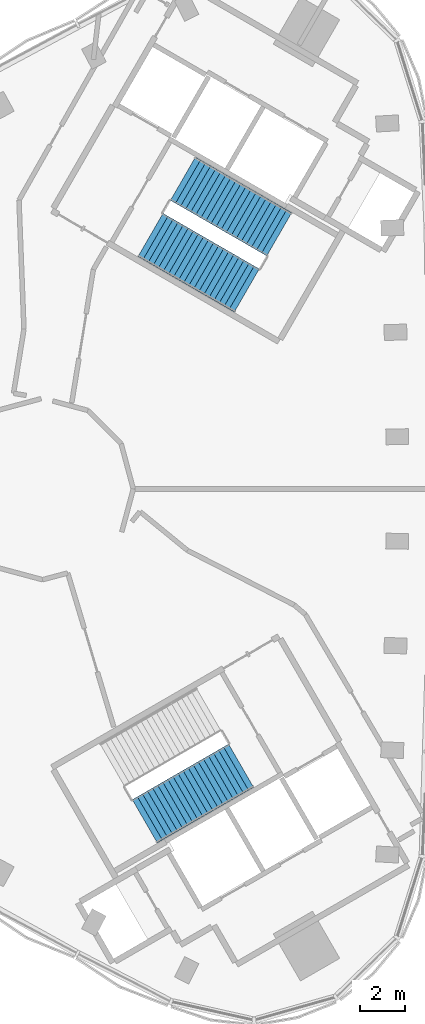
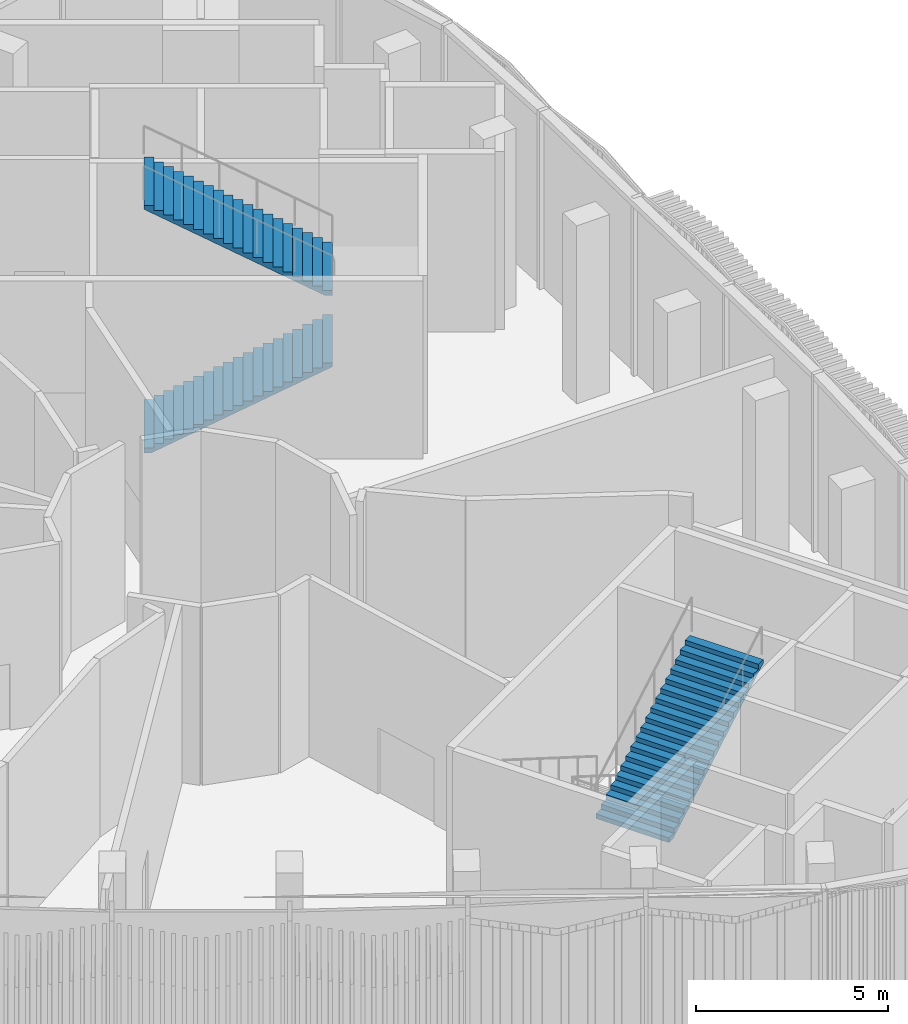
# One storey, part 6 of 11: 3 stair flights, 2 elements without a shape of their own.
"""IFC4 building model written with IfcOpenShell, lengths in metres."""

from ifc_helpers import new_model, si_unit, direction, frame, origin, place, context, subcontext, project, spatial, polyline, outline, extrude, material, type_object, element, aggregate, save


model = new_model("IFC4")

# Units and contexts
model_context = context("Model", 3, precision=1e-05, world=origin(), true_north=direction((0.0, 1.0)))
body_context = subcontext(model_context, "Body", "Model", "MODEL_VIEW")
ifc_project = project(units=[si_unit("LENGTHUNIT", "METRE"), si_unit("AREAUNIT", "SQUARE_METRE"), si_unit("VOLUMEUNIT", "CUBIC_METRE"), si_unit("PLANEANGLEUNIT", "RADIAN"), si_unit("MASSUNIT", "GRAM", prefix="KILO")], contexts=[model_context])

# Site, building, storey
site_placement = place(None, origin())
site = spatial("IfcSite", under=ifc_project, at=site_placement, CompositionType="ELEMENT")
building_placement = place(site_placement, origin())
building = spatial("IfcBuilding", under=site, at=building_placement, Name="Tamra Quay Hotel Tower", CompositionType="ELEMENT")
storey_placement = place(building_placement, frame((0.0, 0.0, 306.60009765625)))
storey = spatial("IfcBuildingStorey", under=building, at=storey_placement, Name="L77", CompositionType="ELEMENT", Elevation=306.60009765625)

# Stair, stair flights
ifc_material_1 = material(Name="Exit stair 2200 40 risers 150.0 going 258")
stair_type = type_object("IfcStairType", Name="Exit stair 2200 40 risers 150.0 going 258", PredefinedType="HALF_TURN_STAIR", material=ifc_material_1)
stair_1_placement = place(storey_placement, origin())
stair_1 = element("IfcStair", 1, at=stair_1_placement, inside=storey, type_object=stair_type, Name="L77 Exit stair ST1", PredefinedType="HALF_TURN_STAIR")
ifc_material_2 = material(Name="Exit stair flight 2200 20 risers 150.0")
stair_flight_type = type_object("IfcStairFlightType", Name="Exit stair flight 2200 20 risers 150.0", PredefinedType="STRAIGHT", material=ifc_material_2)
stair_flight_1_placement = place(storey_placement, frame((4.75927734375, 11.20361328125, 0.0), z_axis=(0.0, 0.0, 1.0), x_axis=(0.866025403784, -0.5, 0.0)))
stair_flight_1 = element("IfcStairFlight", 2, at=stair_flight_1_placement, type_object=stair_flight_type, Name="ST1 flight 1", NumberOfRisers=20, NumberOfTreads=19, PredefinedType="STRAIGHT", RiserHeight=0.15, TreadLength=0.258, context=body_context, shape_type="SweptSolid", body=[
    extrude(outline(polyline([(0.0, 0.0), (0.0, 0.14990234375), (0.258056640625, 0.14990234375), (0.258056640625, 0.300048828125), (0.51611328125, 0.300048828125), (0.51611328125, 0.449951171875), (0.77392578125, 0.449951171875), (0.77392578125, 0.60009765625), (1.031982421875, 0.60009765625), (1.031982421875, 0.75), (1.2900390625, 0.75), (1.2900390625, 0.89990234375), (1.548095703125, 0.89990234375), (1.548095703125, 1.050048828125), (1.805908203125, 1.050048828125), (1.805908203125, 1.199951171875), (2.06396484375, 1.199951171875), (2.06396484375, 1.35009765625), (2.322021484375, 1.35009765625), (2.322021484375, 1.5), (2.580078125, 1.5), (2.580078125, 1.64990234375), (2.837890625, 1.64990234375), (2.837890625, 1.800048828125), (3.095947265625, 1.800048828125), (3.095947265625, 1.949951171875), (3.35400390625, 1.949951171875), (3.35400390625, 2.10009765625), (3.612060546875, 2.10009765625), (3.612060546875, 2.25), (3.8701171875, 2.25), (3.8701171875, 2.39990234375), (4.1279296875, 2.39990234375), (4.1279296875, 2.550048828125), (4.385986328125, 2.550048828125), (4.385986328125, 2.699951171875), (4.64404296875, 2.699951171875), (4.64404296875, 2.85009765625), (4.902099609375, 2.85009765625), (4.902099609375, 3.0), (4.902099609375, 2.734130859375), (0.19921875, 0.0), (0.0, 0.0)])), frame((0.0, 1.10009765625, 0.0), z_axis=(0.0, -1.0, 0.0), x_axis=(1.0, 0.0, 0.0)), (0.0, 0.0, 1.0), 2.199951171875),
])
stair_flight_2_placement = place(storey_placement, frame((10.43408203125, 11.228515625, 3.0), z_axis=(0.0, 0.0, 1.0), x_axis=(-0.866025403784, 0.5, 0.0)))
stair_flight_2 = element("IfcStairFlight", 3, at=stair_flight_2_placement, type_object=stair_flight_type, Name="ST1 flight 2", NumberOfRisers=20, NumberOfTreads=19, PredefinedType="STRAIGHT", RiserHeight=0.15, TreadLength=0.258, context=body_context, shape_type="SweptSolid", body=[
    extrude(outline(polyline([(0.0, 0.0), (0.0, 0.14990234375), (0.258056640625, 0.14990234375), (0.258056640625, 0.300048828125), (0.51611328125, 0.300048828125), (0.51611328125, 0.449951171875), (0.77392578125, 0.449951171875), (0.77392578125, 0.60009765625), (1.031982421875, 0.60009765625), (1.031982421875, 0.75), (1.2900390625, 0.75), (1.2900390625, 0.89990234375), (1.548095703125, 0.89990234375), (1.548095703125, 1.050048828125), (1.805908203125, 1.050048828125), (1.805908203125, 1.199951171875), (2.06396484375, 1.199951171875), (2.06396484375, 1.35009765625), (2.322021484375, 1.35009765625), (2.322021484375, 1.5), (2.580078125, 1.5), (2.580078125, 1.64990234375), (2.837890625, 1.64990234375), (2.837890625, 1.800048828125), (3.095947265625, 1.800048828125), (3.095947265625, 1.949951171875), (3.35400390625, 1.949951171875), (3.35400390625, 2.10009765625), (3.612060546875, 2.10009765625), (3.612060546875, 2.25), (3.8701171875, 2.25), (3.8701171875, 2.39990234375), (4.1279296875, 2.39990234375), (4.1279296875, 2.550048828125), (4.385986328125, 2.550048828125), (4.385986328125, 2.699951171875), (4.64404296875, 2.699951171875), (4.64404296875, 2.85009765625), (4.902099609375, 2.85009765625), (4.902099609375, 3.0), (4.902099609375, 2.734130859375), (0.19921875, 0.0), (0.0, 0.0)])), frame((0.0, 1.10009765625, 0.0), z_axis=(0.0, -1.0, 0.0), x_axis=(1.0, 0.0, 0.0)), (0.0, 0.0, 1.0), 2.199951171875),
])
aggregate(stair_1, [stair_flight_1, stair_flight_2])

# Stair, stair flight
stair_2_placement = place(storey_placement, origin())
stair_2 = element("IfcStair", 4, at=stair_2_placement, inside=storey, type_object=stair_type, Name="L77 Exit stair ST2", PredefinedType="HALF_TURN_STAIR")
stair_flight_3_placement = place(storey_placement, frame((4.507080078125, -14.650390625, 3.0), z_axis=(0.0, 0.0, 1.0), x_axis=(0.866025403784, 0.5, 0.0)))
stair_flight_3 = element("IfcStairFlight", 5, at=stair_flight_3_placement, type_object=stair_flight_type, Name="ST2 flight 2", NumberOfRisers=20, NumberOfTreads=19, PredefinedType="STRAIGHT", RiserHeight=0.15, TreadLength=0.258, context=body_context, shape_type="SweptSolid", body=[
    extrude(outline(polyline([(0.0, 0.0), (0.0, 0.14990234375), (0.258056640625, 0.14990234375), (0.258056640625, 0.300048828125), (0.51611328125, 0.300048828125), (0.51611328125, 0.449951171875), (0.77392578125, 0.449951171875), (0.77392578125, 0.60009765625), (1.031982421875, 0.60009765625), (1.031982421875, 0.75), (1.2900390625, 0.75), (1.2900390625, 0.89990234375), (1.548095703125, 0.89990234375), (1.548095703125, 1.050048828125), (1.805908203125, 1.050048828125), (1.805908203125, 1.199951171875), (2.06396484375, 1.199951171875), (2.06396484375, 1.35009765625), (2.322021484375, 1.35009765625), (2.322021484375, 1.5), (2.580078125, 1.5), (2.580078125, 1.64990234375), (2.837890625, 1.64990234375), (2.837890625, 1.800048828125), (3.095947265625, 1.800048828125), (3.095947265625, 1.949951171875), (3.35400390625, 1.949951171875), (3.35400390625, 2.10009765625), (3.612060546875, 2.10009765625), (3.612060546875, 2.25), (3.8701171875, 2.25), (3.8701171875, 2.39990234375), (4.1279296875, 2.39990234375), (4.1279296875, 2.550048828125), (4.385986328125, 2.550048828125), (4.385986328125, 2.699951171875), (4.64404296875, 2.699951171875), (4.64404296875, 2.85009765625), (4.902099609375, 2.85009765625), (4.902099609375, 3.0), (4.902099609375, 2.734130859375), (0.19921875, 0.0), (0.0, 0.0)])), frame((0.0, 1.10009765625, 0.0), z_axis=(0.0, -1.0, 0.0), x_axis=(1.0, 0.0, 0.0)), (0.0, 0.0, 1.0), 2.199951171875),
])
aggregate(stair_2, [stair_flight_3])

save(model, "model.ifc")
